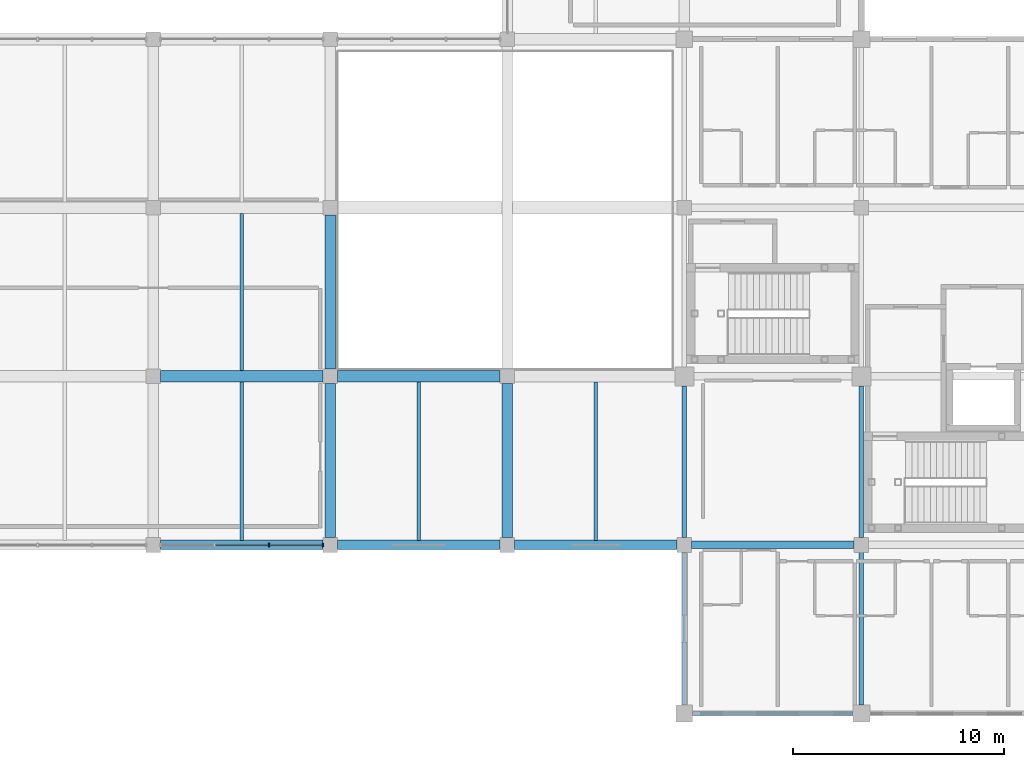
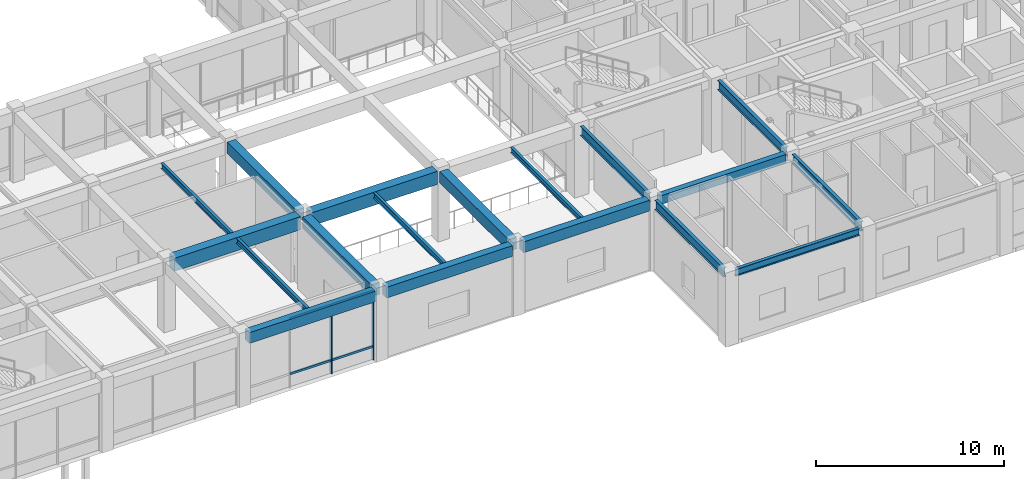
# One storey, part 18 of 76: 18 beams, 6 members, 1 element without a shape of its own.
"""IFC4 building model written with IfcOpenShell, lengths in metres."""

from ifc_helpers import new_model, si_unit, direction, frame, origin, origin_2d, place, context, subcontext, project, spatial, rectangle, i_section, extrude, material, layer, layer_set, material_profile, profile_set, type_object, element, aggregate, save


model = new_model("IFC4")

# Units and contexts
model_context = context("Model", 3, precision=1e-05, world=origin(), true_north=direction((0.0, 1.0)))
body_context = subcontext(model_context, "Body", "Model", "MODEL_VIEW")
ifc_project = project(units=[si_unit("LENGTHUNIT", "METRE"), si_unit("AREAUNIT", "SQUARE_METRE"), si_unit("VOLUMEUNIT", "CUBIC_METRE"), si_unit("PLANEANGLEUNIT", "RADIAN"), si_unit("MASSUNIT", "GRAM", prefix="KILO")], contexts=[model_context])

# Site, building, storey
site_placement = place(None, origin())
site = spatial("IfcSite", under=ifc_project, at=site_placement, CompositionType="ELEMENT")
building_placement = place(site_placement, origin())
building = spatial("IfcBuilding", under=site, at=building_placement, Name="Naruveol Harbour Congress Hotel", CompositionType="ELEMENT")
storey_placement = place(building_placement, frame((0.0, 0.0, 11.39990234375)))
storey = spatial("IfcBuildingStorey", under=building, at=storey_placement, Name="L02", CompositionType="ELEMENT", Elevation=11.39990234375)

# Beams
ifc_material_1 = material(Name="Concrete C40/50", Category="concrete")
ifc_material_profile_1 = material_profile(ifc_material_1, rectangle(XDim=0.5, YDim=0.75, at=origin_2d()), Name="RCB-500x750")
ifc_profile_set_1 = profile_set([ifc_material_profile_1], Name="Concrete C40/50")
beam_type_1 = type_object("IfcBeamType", Name="RC FLOOR GIRDER 500X750", PredefinedType="BEAM", material=ifc_profile_set_1)
for number, where, z_axis, x_axis, name in (
    (1, (100.800048828125, 8.345947265625, 4.175048828125), (0.0, 1.0, 0.0), (-1.0, 0.0, 0.0), "Transverse girder L03 CB3"),
    (2, (100.800048828125, 16.345947265625, 4.175048828125), (0.0, 1.0, 0.0), (-1.0, 0.0, 0.0), "Transverse girder L03 CB3"),
    (3, (109.199951171875, 8.345947265625, 4.175048828125), (0.0, 1.0, 0.0), (-1.0, 0.0, 0.0), "Transverse girder L03 CB3"),
):
    element("IfcBeam", number, at=place(storey_placement, frame(where, z_axis=z_axis, x_axis=x_axis)), inside=storey, type_object=beam_type_1, Name=name, PredefinedType="BEAM", context=body_context, shape_type="SweptSolid", body=[
        extrude(rectangle(XDim=0.5, YDim=0.75, at=origin_2d()), origin(), (0.0, 0.0, 1.0), 7.30810546875),
    ])
ifc_material_2 = material(Name="Concrete C40/50", Category="concrete")
ifc_material_profile_2 = material_profile(ifc_material_2, rectangle(XDim=0.550048828125, YDim=0.85009765625, at=origin_2d()), Name="RCB-550x850")
ifc_profile_set_2 = profile_set([ifc_material_profile_2], Name="Concrete C40/50")
beam_type_2 = type_object("IfcBeamType", Name="RC PRIMARY GIRDER 550X850", PredefinedType="BEAM", material=ifc_profile_set_2)
for number, where, z_axis, x_axis, name in (
    (4, (92.74609375, 16.0, 4.125), (1.0, 0.0, 0.0), (0.0, 1.0, 0.0), "Floor girder L03 CB2"),
    (5, (101.14599609375, 16.0, 4.125), (1.0, 0.0, 0.0), (0.0, 1.0, 0.0), "Floor girder L03 CB2"),
):
    element("IfcBeam", number, at=place(storey_placement, frame(where, z_axis=z_axis, x_axis=x_axis)), inside=storey, type_object=beam_type_2, Name=name, PredefinedType="BEAM", context=body_context, shape_type="SweptSolid", body=[
        extrude(rectangle(XDim=0.550048828125, YDim=0.85009765625, at=origin_2d()), origin(), (0.0, 0.0, 1.0), 7.7080078125),
    ])
ifc_material_3 = material(Name="Concrete C40/50", Category="concrete")
ifc_material_profile_3 = material_profile(ifc_material_3, rectangle(XDim=0.35009765625, YDim=0.550048828125, at=origin_2d()), Name="RCB-350x550")
ifc_profile_set_3 = profile_set([ifc_material_profile_3], Name="Concrete C40/50")
beam_type_3 = type_object("IfcBeamType", Name="RC SECONDARY BEAM 350X550", PredefinedType="JOIST", material=ifc_profile_set_3)
beam_1_placement = place(storey_placement, frame((117.946044921875, 8.0, 4.275146484375), z_axis=(1.0, 0.0, 0.0), x_axis=(0.0, 1.0, 0.0)))
element("IfcBeam", 6, at=beam_1_placement, inside=storey, type_object=beam_type_3, Name="Hotel chord beam L03 CJ1", PredefinedType="JOIST", context=body_context, shape_type="SweptSolid", body=[
    extrude(rectangle(XDim=0.35009765625, YDim=0.550048828125, at=origin_2d()), origin(), (0.0, 0.0, 1.0), 7.7080078125),
])
ifc_material_4 = material(Name="Concrete C40/50", Category="concrete")
ifc_material_profile_4 = material_profile(ifc_material_4, rectangle(XDim=0.449951171875, YDim=0.699951171875, at=origin_2d()), Name="RCB-450x700")
ifc_profile_set_4 = profile_set([ifc_material_profile_4], Name="Concrete C40/50")
beam_type_4 = type_object("IfcBeamType", Name="RC SPANDREL BEAM 450X700", PredefinedType="SPANDREL", material=ifc_profile_set_4)
for number, where, z_axis, x_axis, name in (
    (7, (92.74609375, 8.0, 4.2001953125), (1.0, 0.0, 0.0), (0.0, 1.0, 0.0), "Floor girder L03 SPB1"),
    (8, (101.14599609375, 8.0, 4.2001953125), (1.0, 0.0, 0.0), (0.0, 1.0, 0.0), "Floor girder L03 SPB1"),
    (9, (109.5458984375, 8.0, 4.2001953125), (1.0, 0.0, 0.0), (0.0, 1.0, 0.0), "Floor girder L03 SPB1"),
):
    element("IfcBeam", number, at=place(storey_placement, frame(where, z_axis=z_axis, x_axis=x_axis)), inside=storey, type_object=beam_type_4, Name=name, PredefinedType="SPANDREL", context=body_context, shape_type="SweptSolid", body=[
        extrude(rectangle(XDim=0.449951171875, YDim=0.699951171875, at=origin_2d()), origin(), (0.0, 0.0, 1.0), 7.7080078125),
    ])
ifc_material_5 = material(Name="Steel SN490", Category="steel")
ifc_material_profile_5 = material_profile(ifc_material_5, i_section(OverallWidth=0.199951171875, OverallDepth=0.60009765625, WebThickness=0.010986328125, FlangeThickness=0.01708984375, at=origin_2d()), Name="H-600x200x11x17")
ifc_profile_set_5 = profile_set([ifc_material_profile_5], Name="Steel SN490")
beam_type_5 = type_object("IfcBeamType", Name="STEEL PRIMARY FLOOR BEAM H600", PredefinedType="BEAM", material=ifc_profile_set_5)
beam_2_placement = place(storey_placement, frame((117.60009765625, 0.39599609375, 4.25), z_axis=(0.0, 1.0, 0.0), x_axis=(-1.0, 0.0, 0.0)))
element("IfcBeam", 10, at=beam_2_placement, inside=storey, type_object=beam_type_5, Name="Hotel transverse beam L03 SB1", PredefinedType="BEAM", context=body_context, shape_type="SweptSolid", body=[
    extrude(i_section(OverallWidth=0.199951171875, OverallDepth=0.60009765625, WebThickness=0.010986328125, FlangeThickness=0.01708984375, at=origin_2d()), origin(), (0.0, 0.0, 1.0), 7.258056640625),
])
beam_3_placement = place(storey_placement, frame((117.60009765625, 8.345947265625, 4.25), z_axis=(0.0, 1.0, 0.0), x_axis=(-1.0, 0.0, 0.0)))
element("IfcBeam", 11, at=beam_3_placement, inside=storey, type_object=beam_type_5, Name="Hotel transverse beam L03 SB1", PredefinedType="BEAM", context=body_context, shape_type="SweptSolid", body=[
    extrude(i_section(OverallWidth=0.199951171875, OverallDepth=0.60009765625, WebThickness=0.010986328125, FlangeThickness=0.01708984375, at=origin_2d()), origin(), (0.0, 0.0, 1.0), 7.2080078125),
])
beam_4_placement = place(storey_placement, frame((126.0, 0.39599609375, 4.280029296875), z_axis=(0.0, 1.0, 0.0), x_axis=(-1.0, 0.0, 0.0)))
element("IfcBeam", 12, at=beam_4_placement, inside=storey, type_object=beam_type_5, Name="Hotel transverse beam L03 SB1", PredefinedType="BEAM", context=body_context, shape_type="SweptSolid", body=[
    extrude(i_section(OverallWidth=0.199951171875, OverallDepth=0.60009765625, WebThickness=0.010986328125, FlangeThickness=0.01708984375, at=origin_2d()), origin(), (0.0, 0.0, 1.0), 7.258056640625),
])
beam_5_placement = place(storey_placement, frame((126.0, 8.345947265625, 4.280029296875), z_axis=(0.0, 1.0, 0.0), x_axis=(-1.0, 0.0, 0.0)))
element("IfcBeam", 13, at=beam_5_placement, inside=storey, type_object=beam_type_5, Name="Hotel transverse beam L03 SB1", PredefinedType="BEAM", context=body_context, shape_type="SweptSolid", body=[
    extrude(i_section(OverallWidth=0.199951171875, OverallDepth=0.60009765625, WebThickness=0.010986328125, FlangeThickness=0.01708984375, at=origin_2d()), origin(), (0.0, 0.0, 1.0), 7.2080078125),
])
ifc_material_6 = material(Name="Steel SN490", Category="steel")
ifc_material_profile_6 = material_profile(ifc_material_6, i_section(OverallWidth=0.175048828125, OverallDepth=0.35009765625, WebThickness=0.007080078125, FlangeThickness=0.010986328125, at=origin_2d()), Name="H-350x175x7x11")
ifc_profile_set_6 = profile_set([ifc_material_profile_6], Name="Steel SN490")
beam_type_6 = type_object("IfcBeamType", Name="STEEL SECONDARY JOIST H350", PredefinedType="JOIST", material=ifc_profile_set_6)
for number, where, z_axis, x_axis, name in (
    (14, (96.60009765625, 8.220947265625, 4.375), (0.0, 1.0, 0.0), (-1.0, 0.0, 0.0), "Secondary floor joist L03 SJ2"),
    (15, (105.0, 8.220947265625, 4.375), (0.0, 1.0, 0.0), (-1.0, 0.0, 0.0), "Secondary floor joist L03 SJ2"),
    (16, (113.39990234375, 8.220947265625, 4.375), (0.0, 1.0, 0.0), (-1.0, 0.0, 0.0), "Secondary floor joist L03 SJ2"),
):
    element("IfcBeam", number, at=place(storey_placement, frame(where, z_axis=z_axis, x_axis=x_axis)), inside=storey, type_object=beam_type_6, Name=name, PredefinedType="JOIST", context=body_context, shape_type="SweptSolid", body=[
        extrude(i_section(OverallWidth=0.175048828125, OverallDepth=0.35009765625, WebThickness=0.007080078125, FlangeThickness=0.010986328125, at=origin_2d()), origin(), (0.0, 0.0, 1.0), 7.508056640625),
    ])
beam_6_placement = place(storey_placement, frame((96.60009765625, 16.27099609375, 4.375), z_axis=(0.0, 1.0, 0.0), x_axis=(-1.0, 0.0, 0.0)))
element("IfcBeam", 17, at=beam_6_placement, inside=storey, type_object=beam_type_6, Name="Secondary floor joist L03 SJ2", PredefinedType="JOIST", context=body_context, shape_type="SweptSolid", body=[
    extrude(i_section(OverallWidth=0.175048828125, OverallDepth=0.35009765625, WebThickness=0.007080078125, FlangeThickness=0.010986328125, at=origin_2d()), origin(), (0.0, 0.0, 1.0), 7.4580078125),
])
ifc_material_7 = material(Name="Steel SN490", Category="steel")
ifc_material_profile_7 = material_profile(ifc_material_7, i_section(OverallWidth=0.199951171875, OverallDepth=0.449951171875, WebThickness=0.009033203125, FlangeThickness=0.013916015625, at=origin_2d()), Name="H-450x200x9x14")
ifc_profile_set_7 = profile_set([ifc_material_profile_7], Name="Steel SN490")
beam_type_7 = type_object("IfcBeamType", Name="STEEL SPANDREL EDGE BEAM H450", PredefinedType="SPANDREL", material=ifc_profile_set_7)
beam_7_placement = place(storey_placement, frame((117.99609375, 0.0, 4.35498046875), z_axis=(1.0, 0.0, 0.0), x_axis=(0.0, 1.0, 0.0)))
element("IfcBeam", 18, at=beam_7_placement, inside=storey, type_object=beam_type_7, Name="Hotel chord beam L03 SPB2", PredefinedType="SPANDREL", context=body_context, shape_type="SweptSolid", body=[
    extrude(i_section(OverallWidth=0.199951171875, OverallDepth=0.449951171875, WebThickness=0.009033203125, FlangeThickness=0.013916015625, at=origin_2d()), origin(), (0.0, 0.0, 1.0), 7.60791015625),
])

# Curtain wall, members
ifc_material_8 = material(Name="Low-E Curtain Wall System", Category="glass")
ifc_layer = layer(ifc_material_8, 0.179931640625)
ifc_layer_set = layer_set([ifc_layer], Name="Low-E Curtain Wall System")
curtain_wall_type = type_object("IfcCurtainWallType", Name="UNITISED CURTAIN WALL CW-V4S-38 7700X4500", PredefinedType="USERDEFINED", material=ifc_layer_set)
curtain_wall_placement = place(storey_placement, origin())
curtain_wall = element("IfcCurtainWall", 19, at=curtain_wall_placement, inside=storey, type_object=curtain_wall_type, Name="Unitised curtain wall CW-V4S-38 L02", ObjectType="UNITISED GLAZING", PredefinedType="USERDEFINED")
ifc_material_9 = material(Name="Anodised Aluminium 6063-T6", Category="aluminium")
ifc_material_profile_8 = material_profile(ifc_material_9, rectangle(XDim=0.074951171875, YDim=0.179931640625, at=origin_2d()), Name="ALU-75x180")
ifc_profile_set_8 = profile_set([ifc_material_profile_8], Name="Anodised Aluminium 6063-T6")
member_type_1 = type_object("IfcMemberType", Name="THERMAL ALUMINIUM MULLION 75X180", PredefinedType="MULLION", material=ifc_profile_set_8)
member_1_placement = place(storey_placement, frame((100.449951171875, 8.0, 0.0), z_axis=(0.0, 0.0, 1.0), x_axis=(1.0, 0.0, 0.0)))
member_1 = element("IfcMember", 20, at=member_1_placement, type_object=member_type_1, Name="Curtain wall mullion CW-L02-0096-M0", PredefinedType="MULLION", context=body_context, shape_type="SweptSolid", body=[
    extrude(rectangle(XDim=0.074951171875, YDim=0.179931640625, at=origin_2d()), origin(), (0.0, 0.0, 1.0), 4.5),
])
member_2_placement = place(storey_placement, frame((97.88330078125, 8.0, 0.0), z_axis=(0.0, 0.0, 1.0), x_axis=(1.0, 0.0, 0.0)))
member_2 = element("IfcMember", 21, at=member_2_placement, type_object=member_type_1, Name="Curtain wall mullion CW-L02-0096-M1", PredefinedType="MULLION", context=body_context, shape_type="SweptSolid", body=[
    extrude(rectangle(XDim=0.074951171875, YDim=0.179931640625, at=origin_2d()), origin(), (0.0, 0.0, 1.0), 4.5),
])
ifc_material_10 = material(Name="Anodised Aluminium 6063-T6", Category="aluminium")
ifc_material_profile_9 = material_profile(ifc_material_10, rectangle(XDim=0.074951171875, YDim=0.14990234375, at=origin_2d()), Name="ALU-75x150")
ifc_profile_set_9 = profile_set([ifc_material_profile_9], Name="Anodised Aluminium 6063-T6")
member_type_2 = type_object("IfcMemberType", Name="THERMAL ALUMINIUM TRANSOM 75X150", PredefinedType="USERDEFINED", material=ifc_profile_set_9)
member_3_placement = place(storey_placement, frame((100.409912109375, 8.0, 0.85009765625), z_axis=(-1.0, 0.0, 0.0), x_axis=(0.0, -1.0, 0.0)))
member_3 = element("IfcMember", 22, at=member_3_placement, type_object=member_type_2, Name="Curtain wall transom CW-L02-0096-T0.1", ObjectType="TRANSOM", PredefinedType="USERDEFINED", context=body_context, shape_type="SweptSolid", body=[
    extrude(rectangle(XDim=0.074951171875, YDim=0.14990234375, at=origin_2d()), origin(), (0.0, 0.0, 1.0), 2.486572265625),
])
member_4_placement = place(storey_placement, frame((100.409912109375, 8.0, 4.420166015625), z_axis=(-1.0, 0.0, 0.0), x_axis=(0.0, -1.0, 0.0)))
member_4 = element("IfcMember", 23, at=member_4_placement, type_object=member_type_2, Name="Curtain wall transom CW-L02-0096-T0.2", ObjectType="TRANSOM", PredefinedType="USERDEFINED", context=body_context, shape_type="SweptSolid", body=[
    extrude(rectangle(XDim=0.074951171875, YDim=0.14990234375, at=origin_2d()), origin(), (0.0, 0.0, 1.0), 2.486572265625),
])
member_5_placement = place(storey_placement, frame((97.84326171875, 8.0, 0.85009765625), z_axis=(-1.0, 0.0, 0.0), x_axis=(0.0, -1.0, 0.0)))
member_5 = element("IfcMember", 24, at=member_5_placement, type_object=member_type_2, Name="Curtain wall transom CW-L02-0096-T1.1", ObjectType="TRANSOM", PredefinedType="USERDEFINED", context=body_context, shape_type="SweptSolid", body=[
    extrude(rectangle(XDim=0.074951171875, YDim=0.14990234375, at=origin_2d()), origin(), (0.0, 0.0, 1.0), 2.486572265625),
])
member_6_placement = place(storey_placement, frame((97.84326171875, 8.0, 4.420166015625), z_axis=(-1.0, 0.0, 0.0), x_axis=(0.0, -1.0, 0.0)))
member_6 = element("IfcMember", 25, at=member_6_placement, type_object=member_type_2, Name="Curtain wall transom CW-L02-0096-T1.2", ObjectType="TRANSOM", PredefinedType="USERDEFINED", context=body_context, shape_type="SweptSolid", body=[
    extrude(rectangle(XDim=0.074951171875, YDim=0.14990234375, at=origin_2d()), origin(), (0.0, 0.0, 1.0), 2.486572265625),
])
aggregate(curtain_wall, [member_1, member_2, member_3, member_4, member_5, member_6])

save(model, "model.ifc")
